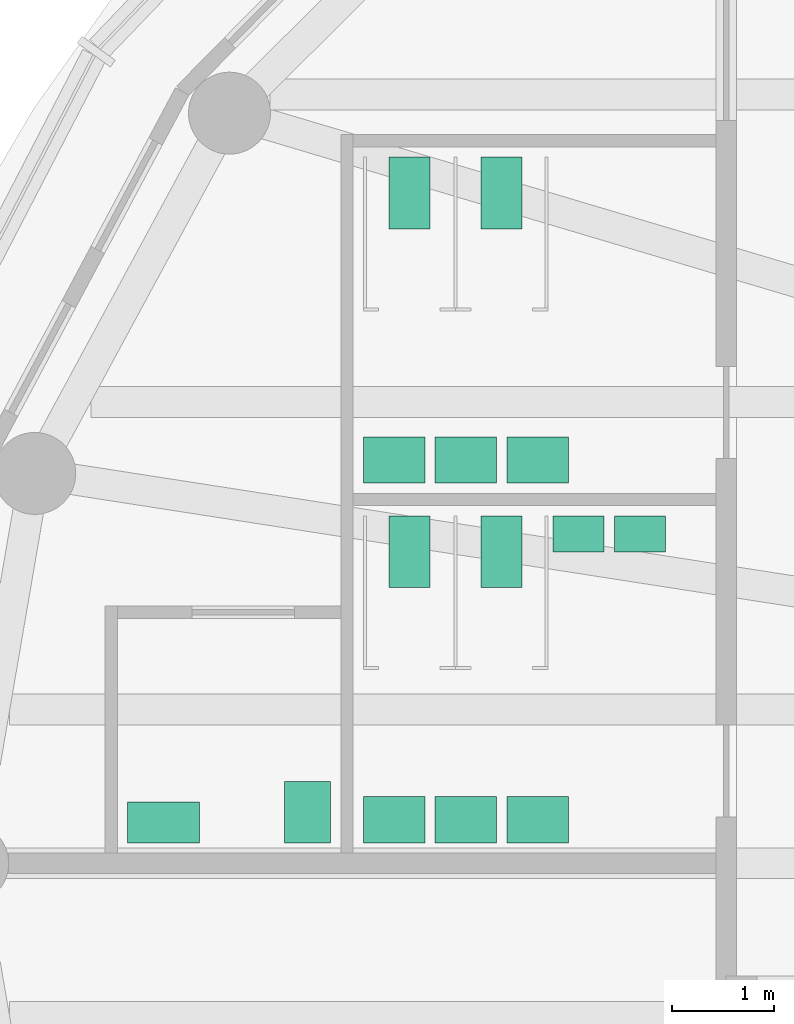
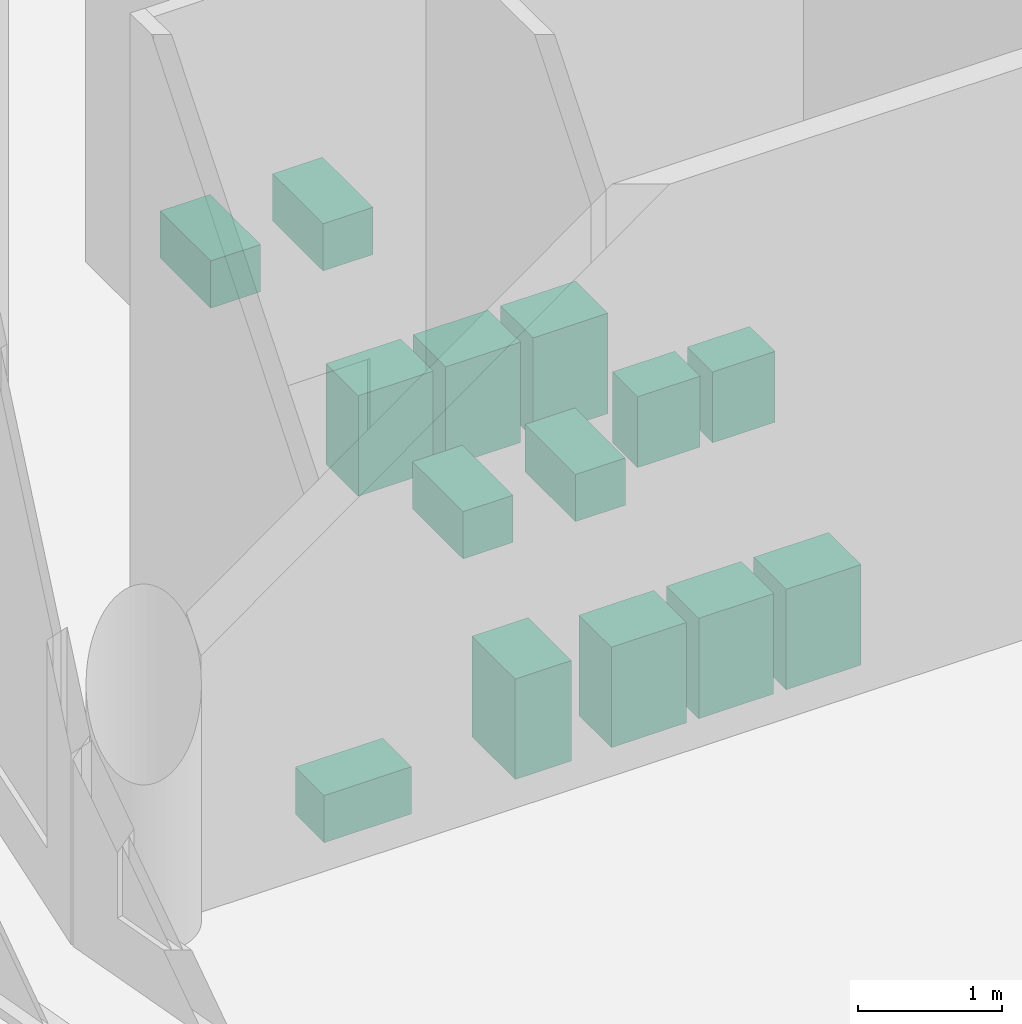
# One storey, part 10 of 11: 14 sanitary terminals.
"""IFC4 building model written with IfcOpenShell, lengths in metres."""

import ifcopenshell
import ifcopenshell.guid

model = None  # the IFC model being written
_history = None  # IfcOwnerHistory: only IFC2X3 demands one
_inside = {}  # id of a spatial element -> (the spatial element, [elements in it])
_under = {}  # id of a project, library or spatial element -> (it, [spatial elements below it])
_declared = {}  # id of a project -> (the project, [libraries it declares])
_typed = {}  # id of a type object -> (the type object, [elements of that type])
_made_of = {}  # id of a material, layer set ... -> (it, [elements and type objects made of it])


def new_model(schema):
    """Start an empty IFC model of exactly this schema.

    Asked for "IFC4X3", IfcOpenShell would pick the latest addendum, in which some entities
    have other attributes; the version numbers below select the first issue.
    IFC2X3 requires an IfcOwnerHistory on every rooted entity: one is made here for all.
    """
    global model, _history
    if schema == "IFC4X3":
        model = ifcopenshell.file(schema_version=(4, 3, 0, 0))
    else:
        model = ifcopenshell.file(schema=schema)
    _inside.clear()
    _under.clear()
    _declared.clear()
    _typed.clear()
    _made_of.clear()
    _history = None
    if model.schema == "IFC2X3":
        org = make("IfcOrganization", Name="unknown")
        user = make(
            "IfcPersonAndOrganization",
            ThePerson=make("IfcPerson", FamilyName="unknown"),
            TheOrganization=org,
        )
        app = make(
            "IfcApplication",
            ApplicationDeveloper=org,
            Version="unknown",
            ApplicationFullName="unknown",
            ApplicationIdentifier="unknown",
        )
        _history = make(
            "IfcOwnerHistory",
            OwningUser=user,
            OwningApplication=app,
            ChangeAction="ADDED",
            CreationDate=0,
        )
    return model


def make(cls, **values):
    """One entity of the class cls with the attributes given. An attribute that is None is left unset."""
    return model.create_entity(
        cls, **{name: value for name, value in values.items() if value is not None}
    )


def rooted(cls, **values):
    """An entity with a GlobalId (a new one), such as an element, a storey or a relation."""
    return make(cls, GlobalId=ifcopenshell.guid.new(), OwnerHistory=_history, **values)


def si_unit(unit_type, name, prefix=None):
    """IfcSIUnit, for example si_unit("LENGTHUNIT", "METRE", prefix="MILLI")."""
    return make("IfcSIUnit", UnitType=unit_type, Prefix=prefix, Name=name)


def assignment(units):
    """IfcUnitAssignment: the units of a project."""
    return None if units is None else make("IfcUnitAssignment", Units=units)


def point(xyz):
    """IfcCartesianPoint."""
    return None if xyz is None else make("IfcCartesianPoint", Coordinates=xyz)


def direction(xyz):
    """IfcDirection."""
    return None if xyz is None else make("IfcDirection", DirectionRatios=xyz)


def frame(location, z_axis=None, x_axis=None):
    """IfcAxis2Placement3D, a coordinate frame: its origin and axes. An axis left out is left unset."""
    return make(
        "IfcAxis2Placement3D",
        Location=point(location),
        Axis=direction(z_axis),
        RefDirection=direction(x_axis),
    )


def frame_2d(location, x_axis=None):
    """IfcAxis2Placement2D, a coordinate frame in the plane: its origin and x axis."""
    return make(
        "IfcAxis2Placement2D", Location=point(location), RefDirection=direction(x_axis)
    )


def origin():
    """The frame at (0, 0, 0) with its axes left unset."""
    return frame((0.0, 0.0, 0.0))


def origin_2d():
    """The frame at (0, 0) in the plane with its x axis left unset."""
    return frame_2d((0.0, 0.0))


def place(relative_to, where):
    """IfcLocalPlacement: puts the frame where relative to a parent placement (None: the world)."""
    return make(
        "IfcLocalPlacement", PlacementRelTo=relative_to, RelativePlacement=where
    )


def context(
    kind, dimensions, precision=None, world=None, true_north=None, identifier=None
):
    """IfcGeometricRepresentationContext, for example the 3D "Model" context."""
    return make(
        "IfcGeometricRepresentationContext",
        ContextIdentifier=identifier,
        ContextType=kind,
        CoordinateSpaceDimension=dimensions,
        Precision=precision,
        WorldCoordinateSystem=world,
        TrueNorth=true_north,
    )


def subcontext(parent, identifier, kind, view, scale=None):
    """IfcGeometricRepresentationSubContext, for example "Body" below "Model"."""
    return make(
        "IfcGeometricRepresentationSubContext",
        ContextIdentifier=identifier,
        ContextType=kind,
        ParentContext=parent,
        TargetScale=scale,
        TargetView=view,
    )


def project(units=None, contexts=None):
    """IfcProject with its units and contexts."""
    return rooted(
        "IfcProject",
        Name="project",
        RepresentationContexts=contexts,
        UnitsInContext=assignment(units),
    )


def spatial(cls, under=None, at=None, **own):
    """A site, building, storey or space (cls), placed at a placement, below another one or the project."""
    s = rooted(cls, ObjectPlacement=at, **own)
    if under is not None:
        _under.setdefault(under.id(), (under, []))[1].append(s)
    return s


def profile(cls, at=None, kind="AREA", **sizes):
    """A parametric profile (cls). Its sizes go by their IFC names, for example OverallWidth=200.0."""
    return make(cls, ProfileType=kind, Position=at, **sizes)


def rectangle(**sizes):
    """IfcRectangleProfileDef."""
    return profile("IfcRectangleProfileDef", **sizes)


def extrude(swept, where, along, depth):
    """IfcExtrudedAreaSolid: the profile swept, set in the frame where, extruded along a direction by depth."""
    return make(
        "IfcExtrudedAreaSolid",
        SweptArea=swept,
        Position=where,
        ExtrudedDirection=direction(along),
        Depth=depth,
    )


def shape(context_of_items, identifier, shape_type, items):
    """IfcShapeRepresentation: the items that make up one representation, for example the "Body"."""
    return make(
        "IfcShapeRepresentation",
        ContextOfItems=context_of_items,
        RepresentationIdentifier=identifier,
        RepresentationType=shape_type,
        Items=items,
    )


def made_of(thing, what):
    """Note that an element or type object is made of a material, layer set ...; save() writes the relation."""
    if what is not None:
        _made_of.setdefault(what.id(), (what, []))[1].append(thing)
    return thing


def element(
    cls,
    number,
    at=None,
    inside=None,
    cuts=None,
    type_object=None,
    material=None,
    context=None,
    identifier="Body",
    shape_type=None,
    held_by="IfcProductDefinitionShape",
    body=None,
    shapes=None,
    **own,
):
    """One element of the class cls, such as IfcWall. Its Tag is "e" and its number.

    at: its placement. inside: the storey or other place that contains it. cuts: it is an
    opening in that element (IfcRelVoidsElement). A single representation is given by context,
    identifier, shape_type and body (its items); several are given by shapes. held_by: the class
    of the entity that holds the representations. save() writes the other relations.
    """
    e = rooted(cls, Tag="e%d" % number, ObjectPlacement=at, **own)
    if body is not None:
        shapes = [shape(context, identifier, shape_type, body)]
    if shapes is not None:
        e.Representation = make(held_by, Representations=shapes)
    if inside is not None:
        _inside.setdefault(inside.id(), (inside, []))[1].append(e)
    if cuts is not None:
        rooted(
            "IfcRelVoidsElement", RelatingBuildingElement=cuts, RelatedOpeningElement=e
        )
    if type_object is not None:
        _typed.setdefault(type_object.id(), (type_object, []))[1].append(e)
    return made_of(e, material)


def aggregate(whole, parts):
    """IfcRelAggregates: a whole, such as a stair, and the parts it consists of."""
    return rooted("IfcRelAggregates", RelatingObject=whole, RelatedObjects=parts)


def save(model, path):
    """Write the relations noted so far, then the file.

    IfcRelAggregates (storeys below a building ...), IfcRelContainedInSpatialStructure (elements
    in a storey), IfcRelDefinesByType, IfcRelAssociatesMaterial and IfcRelDeclares: one each for
    every whole, place, type object, material and project.
    """
    for whole, parts in _under.values():
        aggregate(whole, parts)
    for where, things in _inside.values():
        rooted(
            "IfcRelContainedInSpatialStructure",
            RelatedElements=things,
            RelatingStructure=where,
        )
    for kind, things in _typed.values():
        rooted("IfcRelDefinesByType", RelatedObjects=things, RelatingType=kind)
    for what, things in _made_of.values():
        rooted("IfcRelAssociatesMaterial", RelatedObjects=things, RelatingMaterial=what)
    for by, libraries in _declared.values():
        rooted("IfcRelDeclares", RelatingContext=by, RelatedDefinitions=libraries)
    model.write(path)


model = new_model("IFC4")

# Units and contexts
model_context = context("Model", 3, precision=1e-05, world=origin(), true_north=direction((0.0, 1.0)))
body_context = subcontext(model_context, "Body", "Model", "MODEL_VIEW")
ifc_project = project(units=[si_unit("LENGTHUNIT", "METRE"), si_unit("AREAUNIT", "SQUARE_METRE"), si_unit("VOLUMEUNIT", "CUBIC_METRE"), si_unit("PLANEANGLEUNIT", "RADIAN"), si_unit("MASSUNIT", "GRAM", prefix="KILO")], contexts=[model_context])

# Site, building, storey
site_placement = place(None, origin())
site = spatial("IfcSite", under=ifc_project, at=site_placement, CompositionType="ELEMENT")
building_placement = place(site_placement, origin())
building = spatial("IfcBuilding", under=site, at=building_placement, Name="Hankou Lantern Tower", CompositionType="ELEMENT")
storey_placement = place(building_placement, frame((0.0, 0.0, 242.699951171875)))
storey = spatial("IfcBuildingStorey", under=building, at=storey_placement, Name="L65", CompositionType="ELEMENT", Elevation=242.699951171875)

# Sanitary terminals
for number, where, z_axis, x_axis, name in (
    (1, (-14.090087890625, 3.0400390625, 0.0), (0.0, 0.0, 1.0), (1.0, 0.0, 0.0), "Male WC WC pan 1"),
    (2, (-13.18994140625, 3.0400390625, 0.0), (0.0, 0.0, 1.0), (1.0, 0.0, 0.0), "Male WC WC pan 2"),
):
    element("IfcSanitaryTerminal", number, at=place(storey_placement, frame(where, z_axis=z_axis, x_axis=x_axis)), inside=storey, Name=name, PredefinedType="TOILETPAN", context=body_context, shape_type="SweptSolid", body=[
        extrude(rectangle(XDim=0.39990234375, YDim=0.699951171875, at=origin_2d()), origin(), (0.0, 0.0, 1.0), 0.39990234375),
    ])
for number, where, z_axis, x_axis, name in (
    (3, (-12.43994140625, 3.215087890625, 0.0), (0.0, 0.0, 1.0), (1.0, 0.0, 0.0), "Male WC urinal 1"),
    (4, (-11.840087890625, 3.215087890625, 0.0), (0.0, 0.0, 1.0), (1.0, 0.0, 0.0), "Male WC urinal 2"),
):
    element("IfcSanitaryTerminal", number, at=place(storey_placement, frame(where, z_axis=z_axis, x_axis=x_axis)), inside=storey, Name=name, PredefinedType="URINAL", context=body_context, shape_type="SweptSolid", body=[
        extrude(rectangle(XDim=0.5, YDim=0.35009765625, at=origin_2d()), origin(), (0.0, 0.0, 1.0), 0.60009765625),
    ])
for number, where, z_axis, x_axis, name in (
    (5, (-14.239990234375, 0.425048828125, 0.0), (0.0, 0.0, 1.0), (1.0, 0.0, 0.0), "Male WC wash basin 1"),
    (6, (-13.5400390625, 0.425048828125, 0.0), (0.0, 0.0, 1.0), (1.0, 0.0, 0.0), "Male WC wash basin 2"),
    (7, (-12.840087890625, 0.425048828125, 0.0), (0.0, 0.0, 1.0), (1.0, 0.0, 0.0), "Male WC wash basin 3"),
):
    element("IfcSanitaryTerminal", number, at=place(storey_placement, frame(where, z_axis=z_axis, x_axis=x_axis)), inside=storey, Name=name, PredefinedType="WASHHANDBASIN", context=body_context, shape_type="SweptSolid", body=[
        extrude(rectangle(XDim=0.60009765625, YDim=0.449951171875, at=origin_2d()), origin(), (0.0, 0.0, 1.0), 0.85009765625),
    ])
for number, where, z_axis, x_axis, name in (
    (8, (-14.090087890625, 6.5400390625, 0.0), (0.0, 0.0, 1.0), (1.0, 0.0, 0.0), "Female WC WC pan 1"),
    (9, (-13.18994140625, 6.5400390625, 0.0), (0.0, 0.0, 1.0), (1.0, 0.0, 0.0), "Female WC WC pan 2"),
):
    element("IfcSanitaryTerminal", number, at=place(storey_placement, frame(where, z_axis=z_axis, x_axis=x_axis)), inside=storey, Name=name, PredefinedType="TOILETPAN", context=body_context, shape_type="SweptSolid", body=[
        extrude(rectangle(XDim=0.39990234375, YDim=0.699951171875, at=origin_2d()), origin(), (0.0, 0.0, 1.0), 0.39990234375),
    ])
for number, where, z_axis, x_axis, name in (
    (10, (-14.239990234375, 3.93505859375, 0.0), (0.0, 0.0, 1.0), (1.0, 0.0, 0.0), "Female WC wash basin 1"),
    (11, (-13.5400390625, 3.93505859375, 0.0), (0.0, 0.0, 1.0), (1.0, 0.0, 0.0), "Female WC wash basin 2"),
    (12, (-12.840087890625, 3.93505859375, 0.0), (0.0, 0.0, 1.0), (1.0, 0.0, 0.0), "Female WC wash basin 3"),
):
    element("IfcSanitaryTerminal", number, at=place(storey_placement, frame(where, z_axis=z_axis, x_axis=x_axis)), inside=storey, Name=name, PredefinedType="WASHHANDBASIN", context=body_context, shape_type="SweptSolid", body=[
        extrude(rectangle(XDim=0.60009765625, YDim=0.449951171875, at=origin_2d()), origin(), (0.0, 0.0, 1.0), 0.85009765625),
    ])
sanitary_terminal_1_placement = place(storey_placement, frame((-16.489990234375, 0.39990234375, 0.0), z_axis=(0.0, 0.0, 1.0), x_axis=(0.0, 1.0, 0.0)))
element("IfcSanitaryTerminal", 13, at=sanitary_terminal_1_placement, inside=storey, Name="Accessible WC WC pan 1", PredefinedType="TOILETPAN", context=body_context, shape_type="SweptSolid", body=[
    extrude(rectangle(XDim=0.39990234375, YDim=0.699951171875, at=origin_2d()), origin(), (0.0, 0.0, 1.0), 0.39990234375),
])
sanitary_terminal_2_placement = place(storey_placement, frame((-15.0849609375, 0.5, 0.0), z_axis=(0.0, 0.0, 1.0), x_axis=(0.0, 1.0, 0.0)))
element("IfcSanitaryTerminal", 14, at=sanitary_terminal_2_placement, inside=storey, Name="Accessible WC wash basin 1", PredefinedType="WASHHANDBASIN", context=body_context, shape_type="SweptSolid", body=[
    extrude(rectangle(XDim=0.60009765625, YDim=0.449951171875, at=origin_2d()), origin(), (0.0, 0.0, 1.0), 0.85009765625),
])

save(model, "model.ifc")
